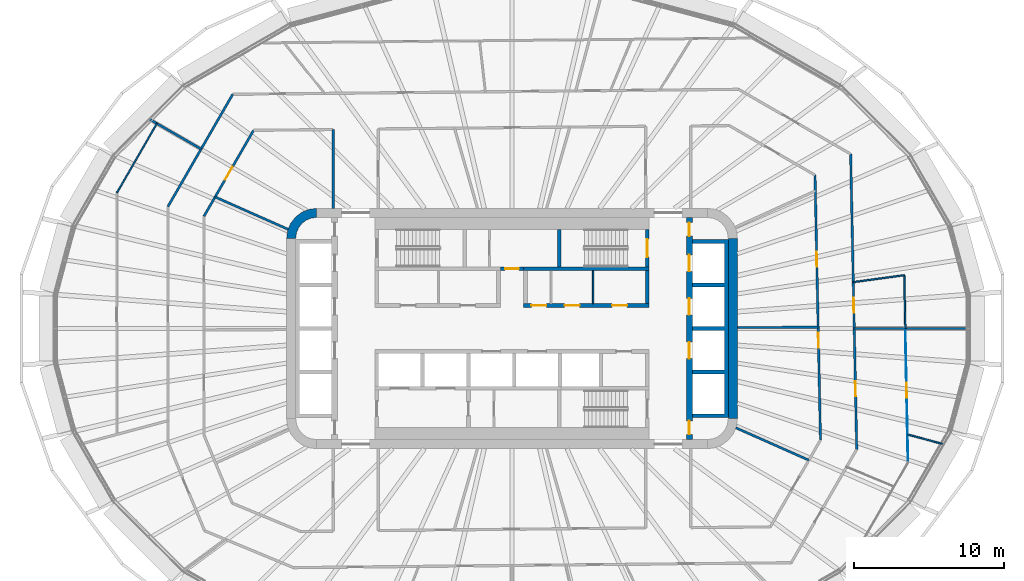
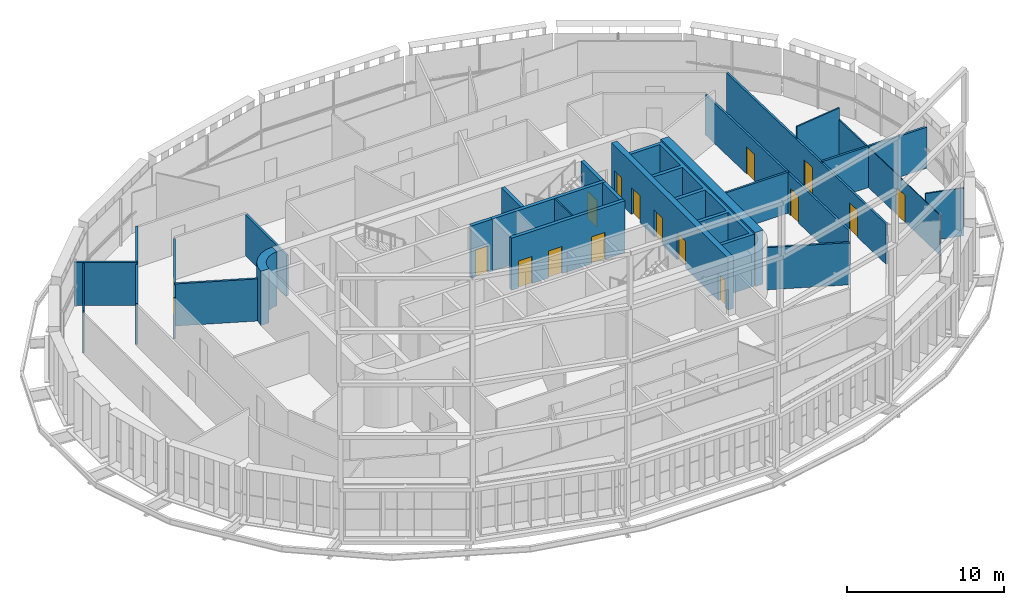
# One storey, part 14 of 23: 26 walls, 16 doors, 16 openings.
"""IFC4 building model written with IfcOpenShell, lengths in metres."""

from ifc_helpers import new_model, si_unit, direction, frame, frame_2d, origin, place, context, subcontext, project, spatial, polyline, rectangle, outline, extrude, material, layer, layer_set, type_object, element, fill, save


model = new_model("IFC4")

# Units and contexts
model_context = context("Model", 3, precision=1e-05, world=origin(), true_north=direction((0.0, 1.0)))
body_context = subcontext(model_context, "Body", "Model", "MODEL_VIEW")
ifc_project = project(units=[si_unit("LENGTHUNIT", "METRE"), si_unit("AREAUNIT", "SQUARE_METRE"), si_unit("VOLUMEUNIT", "CUBIC_METRE"), si_unit("PLANEANGLEUNIT", "RADIAN"), si_unit("MASSUNIT", "GRAM", prefix="KILO")], contexts=[model_context])

# Site, building, storey
site_placement = place(None, origin())
site = spatial("IfcSite", under=ifc_project, at=site_placement, CompositionType="ELEMENT")
building_placement = place(site_placement, origin())
building = spatial("IfcBuilding", under=site, at=building_placement, Name="Sahrelin Media Tower", CompositionType="ELEMENT")
storey_placement = place(building_placement, frame((0.0, 0.0, 54.60009765625)))
storey = spatial("IfcBuildingStorey", under=building, at=storey_placement, Name="L08", CompositionType="ELEMENT", Elevation=54.60009765625)

# Walls
ifc_material_1 = material(Name="Concrete C60/75", Category="concrete")
ifc_layer_1 = layer(ifc_material_1, 0.60009765625)
ifc_layer_set_1 = layer_set([ifc_layer_1], Name="Core wall 600")
wall_type_1 = type_object("IfcWallType", Name="Core wall 600", PredefinedType="SHEAR", material=ifc_layer_set_1)
wall_1_placement = place(storey_placement, frame((14.699951171875, -6.0, 0.0), z_axis=(0.0, 0.0, 1.0), x_axis=(0.0, 1.0, 0.0)))
element("IfcWall", 1, at=wall_1_placement, inside=storey, type_object=wall_type_1, Name="Core wall E L08", PredefinedType="SHEAR", context=body_context, shape_type="SweptSolid", body=[
    extrude(rectangle(XDim=12.0, YDim=0.60009765625, at=frame_2d((6.0, 0.0))), origin(), (0.0, 0.0, 1.0), 4.199951171875),
])
placement = place(storey_placement, origin())
element("IfcWall", 2, at=placement, inside=storey, type_object=wall_type_1, Name="Core wall corner NW L08", PredefinedType="SHEAR", context=body_context, shape_type="SweptSolid", body=[
    extrude(outline(polyline([(-15.0, 6.0), (-14.394775390625, 6.0), (-14.347412109375, 6.361083984375), (-14.2080078125, 6.697509765625), (-13.986328125, 6.986328125), (-13.697509765625, 7.2080078125), (-13.361083984375, 7.347412109375), (-13.0, 7.394775390625), (-13.0, 8.0), (-13.517578125, 7.931884765625), (-14.0, 7.732177734375), (-14.414306640625, 7.414306640625), (-14.732177734375, 7.0), (-14.931884765625, 6.517578125), (-15.0, 6.0)])), origin(), (0.0, 0.0, 1.0), 4.199951171875),
])

# Wall, opening, door
ifc_material_2 = material(Name="Fire-rated gypsum board partition")
ifc_layer_2 = layer(ifc_material_2, 0.25)
ifc_layer_set_2 = layer_set([ifc_layer_2], Name="Fire-rated lobby wall 250")
wall_type_2 = type_object("IfcWallType", Name="Fire-rated lobby wall 250", PredefinedType="PARTITIONING", material=ifc_layer_set_2)
wall_3_placement = place(storey_placement, frame((-0.77490234375, 3.97509765625, 0.0), z_axis=(0.0, 0.0, 1.0), x_axis=(1.0, 0.0, 0.0)))
wall_3 = element("IfcWall", 3, at=wall_3_placement, inside=storey, type_object=wall_type_2, Name="Core lobby wall", PredefinedType="PARTITIONING", context=body_context, shape_type="SweptSolid", body=[
    extrude(rectangle(XDim=1.5498046875, YDim=0.25, at=frame_2d((0.77490234375, 0.0))), origin(), (0.0, 0.0, 1.0), 4.0498046875),
])
opening_1_placement = place(wall_3_placement, frame((0.324951171875, 0.0, 0.0)))
opening_1 = element("IfcOpeningElement", 4, at=opening_1_placement, cuts=wall_3, Name="Opening L08-D06", PredefinedType="OPENING", context=body_context, shape_type="SweptSolid", body=[
    extrude(rectangle(XDim=0.89990234375, YDim=2.10009765625, at=frame_2d((0.449951171875, 1.050048828125))), frame((0.0, 0.125, 0.0), z_axis=(0.0, -1.0, 0.0), x_axis=(1.0, 0.0, 0.0)), (0.0, 0.0, 1.0), 0.25),
])
ifc_material_3 = material(Name="Steel fire door leaf", Category="steel")
door_type_1 = type_object("IfcDoorType", Name="Riser door 900 x 2100 EI 120", OperationType="NOTDEFINED", PredefinedType="DOOR", material=ifc_material_3)
door_1_placement = place(opening_1_placement, origin())
door_1 = element("IfcDoor", 5, at=door_1_placement, inside=storey, type_object=door_type_1, Name="Core room door", OperationType="SINGLE_SWING_LEFT", OverallHeight=2.10009765625, OverallWidth=0.89990234375, PredefinedType="DOOR", context=body_context, shape_type="SweptSolid", body=[
    extrude(rectangle(XDim=0.89990234375, YDim=2.10009765625, at=frame_2d((0.449951171875, 1.050048828125))), frame((0.0, 0.02490234375, 0.0), z_axis=(0.0, -1.0, 0.0), x_axis=(1.0, 0.0, 0.0)), (0.0, 0.0, 1.0), 0.050048828125),
])
fill(opening_1, door_1)

# Wall, openings, doors
wall_4_placement = place(storey_placement, frame((0.77490234375, 1.52490234375, 0.0), z_axis=(0.0, 0.0, 1.0), x_axis=(1.0, 0.0, 0.0)))
wall_4 = element("IfcWall", 6, at=wall_4_placement, inside=storey, type_object=wall_type_2, Name="Core lobby wall", PredefinedType="PARTITIONING", context=body_context, shape_type="SweptSolid", body=[
    extrude(rectangle(XDim=8.35009765625, YDim=0.25, at=frame_2d((4.175048828125, 0.0))), origin(), (0.0, 0.0, 1.0), 4.0498046875),
])
opening_2_placement = place(wall_4_placement, frame((0.512451171875, 0.0, 0.0)))
opening_2 = element("IfcOpeningElement", 7, at=opening_2_placement, cuts=wall_4, Name="Opening L08-D11", PredefinedType="OPENING", context=body_context, shape_type="SweptSolid", body=[
    extrude(rectangle(XDim=1.0, YDim=2.10009765625, at=frame_2d((0.5, 1.050048828125))), frame((0.0, 0.125, 0.0), z_axis=(0.0, -1.0, 0.0), x_axis=(1.0, 0.0, 0.0)), (0.0, 0.0, 1.0), 0.25),
])
opening_3_placement = place(wall_4_placement, frame((2.72509765625, 0.0, 0.0)))
opening_3 = element("IfcOpeningElement", 8, at=opening_3_placement, cuts=wall_4, Name="Opening L08-D12", PredefinedType="OPENING", context=body_context, shape_type="SweptSolid", body=[
    extrude(rectangle(XDim=1.0, YDim=2.10009765625, at=frame_2d((0.5, 1.050048828125))), frame((0.0, 0.125, 0.0), z_axis=(0.0, -1.0, 0.0), x_axis=(1.0, 0.0, 0.0)), (0.0, 0.0, 1.0), 0.25),
])
opening_4_placement = place(wall_4_placement, frame((5.887451171875, 0.0, 0.0)))
opening_4 = element("IfcOpeningElement", 9, at=opening_4_placement, cuts=wall_4, Name="Opening L08-D13", PredefinedType="OPENING", context=body_context, shape_type="SweptSolid", body=[
    extrude(rectangle(XDim=1.0, YDim=2.10009765625, at=frame_2d((0.5, 1.050048828125))), frame((0.0, 0.125, 0.0), z_axis=(0.0, -1.0, 0.0), x_axis=(1.0, 0.0, 0.0)), (0.0, 0.0, 1.0), 0.25),
])
door_type_2 = type_object("IfcDoorType", Name="Fire door 1000 x 2100 EI 60", OperationType="NOTDEFINED", PredefinedType="DOOR", material=ifc_material_3)
door_2_placement = place(opening_2_placement, origin())
door_2 = element("IfcDoor", 10, at=door_2_placement, inside=storey, type_object=door_type_2, Name="Core room door", OperationType="SINGLE_SWING_LEFT", OverallHeight=2.10009765625, OverallWidth=1.0, PredefinedType="DOOR", context=body_context, shape_type="SweptSolid", body=[
    extrude(rectangle(XDim=1.0, YDim=2.10009765625, at=frame_2d((0.5, 1.050048828125))), frame((0.0, 0.02490234375, 0.0), z_axis=(0.0, -1.0, 0.0), x_axis=(1.0, 0.0, 0.0)), (0.0, 0.0, 1.0), 0.050048828125),
])
fill(opening_2, door_2)
door_3_placement = place(opening_3_placement, origin())
door_3 = element("IfcDoor", 11, at=door_3_placement, inside=storey, type_object=door_type_2, Name="Core room door", OperationType="SINGLE_SWING_LEFT", OverallHeight=2.10009765625, OverallWidth=1.0, PredefinedType="DOOR", context=body_context, shape_type="SweptSolid", body=[
    extrude(rectangle(XDim=1.0, YDim=2.10009765625, at=frame_2d((0.5, 1.050048828125))), frame((0.0, 0.02490234375, 0.0), z_axis=(0.0, -1.0, 0.0), x_axis=(1.0, 0.0, 0.0)), (0.0, 0.0, 1.0), 0.050048828125),
])
fill(opening_3, door_3)
door_4_placement = place(opening_4_placement, origin())
door_4 = element("IfcDoor", 12, at=door_4_placement, inside=storey, type_object=door_type_2, Name="Core room door", OperationType="SINGLE_SWING_LEFT", OverallHeight=2.10009765625, OverallWidth=1.0, PredefinedType="DOOR", context=body_context, shape_type="SweptSolid", body=[
    extrude(rectangle(XDim=1.0, YDim=2.10009765625, at=frame_2d((0.5, 1.050048828125))), frame((0.0, 0.02490234375, 0.0), z_axis=(0.0, -1.0, 0.0), x_axis=(1.0, 0.0, 0.0)), (0.0, 0.0, 1.0), 0.050048828125),
])
fill(opening_4, door_4)

# Walls
wall_5_placement = place(storey_placement, frame((9.0, 1.64990234375, 0.0), z_axis=(0.0, 0.0, 1.0), x_axis=(0.0, 1.0, 0.0)))
element("IfcWall", 13, at=wall_5_placement, inside=storey, type_object=wall_type_2, Name="Core lobby wall", PredefinedType="PARTITIONING", context=body_context, shape_type="SweptSolid", body=[
    extrude(rectangle(XDim=2.2001953125, YDim=0.25, at=frame_2d((1.10009765625, 0.0))), origin(), (0.0, 0.0, 1.0), 4.0498046875),
])
ifc_layer_3 = layer(ifc_material_2, 0.10009765625)
ifc_layer_set_3 = layer_set([ifc_layer_3], Name="Fire-rated partition 100")
wall_type_3 = type_object("IfcWallType", Name="Fire-rated partition 100", PredefinedType="PARTITIONING", material=ifc_layer_set_3)
wall_6_placement = place(storey_placement, frame((5.39990234375, 1.64990234375, 0.0), z_axis=(0.0, 0.0, 1.0), x_axis=(0.0, 1.0, 0.0)))
element("IfcWall", 14, at=wall_6_placement, inside=storey, type_object=wall_type_3, Name="Core room partition", PredefinedType="PARTITIONING", context=body_context, shape_type="SweptSolid", body=[
    extrude(rectangle(XDim=2.2001953125, YDim=0.10009765625, at=frame_2d((1.10009765625, 0.0))), origin(), (0.0, 0.0, 1.0), 4.0498046875),
])

# Wall, openings, doors
ifc_layer_4 = layer(ifc_material_2, 0.14990234375)
ifc_layer_set_4 = layer_set([ifc_layer_4], Name="Fire-rated partition 150")
wall_type_4 = type_object("IfcWallType", Name="Fire-rated partition 150", PredefinedType="PARTITIONING", material=ifc_layer_set_4)
wall_7_placement = place(storey_placement, frame((20.1669921875, 10.212890625, 0.0), z_axis=(0.0, 0.0, 1.0), x_axis=(0.020624730832, -0.999787287616, 0.0)))
wall_7 = element("IfcWall", 15, at=wall_7_placement, inside=storey, type_object=wall_type_4, Name="Wall", PredefinedType="PARTITIONING", context=body_context, shape_type="SweptSolid", body=[
    extrude(rectangle(XDim=17.637451171875, YDim=0.14990234375, at=frame_2d((8.81884765625, 0.0))), origin(), (0.0, 0.0, 1.0), 3.126953125),
])
opening_5_placement = place(wall_7_placement, frame((10.507568359375, 0.0, 0.0)))
opening_5 = element("IfcOpeningElement", 16, at=opening_5_placement, cuts=wall_7, Name="Opening L08-D27", PredefinedType="OPENING", context=body_context, shape_type="SweptSolid", body=[
    extrude(rectangle(XDim=1.0, YDim=2.10009765625, at=frame_2d((0.5, 1.050048828125))), frame((0.0, 0.074951171875, 0.0), z_axis=(0.0, -1.0, 0.0), x_axis=(1.0, 0.0, 0.0)), (0.0, 0.0, 1.0), 0.14990234375),
])
opening_6_placement = place(wall_7_placement, frame((5.089111328125, 0.0, 0.0)))
opening_6 = element("IfcOpeningElement", 17, at=opening_6_placement, cuts=wall_7, Name="Opening L08-D28", PredefinedType="OPENING", context=body_context, shape_type="SweptSolid", body=[
    extrude(rectangle(XDim=1.0, YDim=2.10009765625, at=frame_2d((0.5, 1.050048828125))), frame((0.0, 0.074951171875, 0.0), z_axis=(0.0, -1.0, 0.0), x_axis=(1.0, 0.0, 0.0)), (0.0, 0.0, 1.0), 0.14990234375),
])
door_5_placement = place(opening_5_placement, origin())
door_5 = element("IfcDoor", 18, at=door_5_placement, inside=storey, type_object=door_type_2, Name="Fire door", OperationType="SINGLE_SWING_RIGHT", OverallHeight=2.10009765625, OverallWidth=1.0, PredefinedType="DOOR", context=body_context, shape_type="SweptSolid", body=[
    extrude(rectangle(XDim=1.0, YDim=2.10009765625, at=frame_2d((0.5, 1.050048828125))), frame((0.0, 0.02490234375, 0.0), z_axis=(0.0, -1.0, 0.0), x_axis=(1.0, 0.0, 0.0)), (0.0, 0.0, 1.0), 0.050048828125),
])
fill(opening_5, door_5)
door_6_placement = place(opening_6_placement, origin())
door_6 = element("IfcDoor", 19, at=door_6_placement, inside=storey, type_object=door_type_2, Name="Fire door", OperationType="SINGLE_SWING_LEFT", OverallHeight=2.10009765625, OverallWidth=1.0, PredefinedType="DOOR", context=body_context, shape_type="SweptSolid", body=[
    extrude(rectangle(XDim=1.0, YDim=2.10009765625, at=frame_2d((0.5, 1.050048828125))), frame((0.0, 0.02490234375, 0.0), z_axis=(0.0, -1.0, 0.0), x_axis=(1.0, 0.0, 0.0)), (0.0, 0.0, 1.0), 0.050048828125),
])
fill(opening_6, door_6)

wall_8_placement = place(storey_placement, frame((22.53857421875, 11.614990234375, 0.0), z_axis=(0.0, 0.0, 1.0), x_axis=(0.020613919434, -0.999787510587, 0.0)))
wall_8 = element("IfcWall", 20, at=wall_8_placement, inside=storey, type_object=wall_type_4, Name="Wall", PredefinedType="PARTITIONING", context=body_context, shape_type="SweptSolid", body=[
    extrude(rectangle(XDim=19.66015625, YDim=0.14990234375, at=frame_2d((9.830078125, 0.0))), origin(), (0.0, 0.0, 1.0), 3.126953125),
])
opening_7_placement = place(wall_8_placement, frame((9.572509765625, 0.0, 0.0)))
opening_7 = element("IfcOpeningElement", 21, at=opening_7_placement, cuts=wall_8, Name="Opening L08-D37", PredefinedType="OPENING", context=body_context, shape_type="SweptSolid", body=[
    extrude(rectangle(XDim=1.0, YDim=2.10009765625, at=frame_2d((0.5, 1.050048828125))), frame((0.0, 0.074951171875, 0.0), z_axis=(0.0, -1.0, 0.0), x_axis=(1.0, 0.0, 0.0)), (0.0, 0.0, 1.0), 0.14990234375),
])
opening_8_placement = place(wall_8_placement, frame((15.139404296875, 0.0, 0.0)))
opening_8 = element("IfcOpeningElement", 22, at=opening_8_placement, cuts=wall_8, Name="Opening L08-D57", PredefinedType="OPENING", context=body_context, shape_type="SweptSolid", body=[
    extrude(rectangle(XDim=1.0, YDim=2.10009765625, at=frame_2d((0.5, 1.050048828125))), frame((0.0, 0.074951171875, 0.0), z_axis=(0.0, -1.0, 0.0), x_axis=(1.0, 0.0, 0.0)), (0.0, 0.0, 1.0), 0.14990234375),
])
door_7_placement = place(opening_7_placement, origin())
door_7 = element("IfcDoor", 23, at=door_7_placement, inside=storey, type_object=door_type_2, Name="Fire door", OperationType="SINGLE_SWING_LEFT", OverallHeight=2.10009765625, OverallWidth=1.0, PredefinedType="DOOR", context=body_context, shape_type="SweptSolid", body=[
    extrude(rectangle(XDim=1.0, YDim=2.10009765625, at=frame_2d((0.5, 1.050048828125))), frame((0.0, 0.02490234375, 0.0), z_axis=(0.0, -1.0, 0.0), x_axis=(1.0, 0.0, 0.0)), (0.0, 0.0, 1.0), 0.050048828125),
])
fill(opening_7, door_7)
door_8_placement = place(opening_8_placement, origin())
door_8 = element("IfcDoor", 24, at=door_8_placement, inside=storey, type_object=door_type_2, Name="Fire door", OperationType="SINGLE_SWING_RIGHT", OverallHeight=2.10009765625, OverallWidth=1.0, PredefinedType="DOOR", context=body_context, shape_type="SweptSolid", body=[
    extrude(rectangle(XDim=1.0, YDim=2.10009765625, at=frame_2d((0.5, 1.050048828125))), frame((0.0, 0.02490234375, 0.0), z_axis=(0.0, -1.0, 0.0), x_axis=(1.0, 0.0, 0.0)), (0.0, 0.0, 1.0), 0.050048828125),
])
fill(opening_8, door_8)

# Walls
wall_9_placement = place(storey_placement, frame((-24.14111328125, 13.93798828125, 0.0), z_axis=(0.0, 0.0, 1.0), x_axis=(0.865983578848, -0.500072435918, 0.0)))
element("IfcWall", 25, at=wall_9_placement, inside=storey, type_object=wall_type_4, Name="Wall", PredefinedType="PARTITIONING", context=body_context, shape_type="SweptSolid", body=[
    extrude(rectangle(XDim=3.9853515625, YDim=0.14990234375, at=frame_2d((1.99267578125, 0.0))), origin(), (0.0, 0.0, 1.0), 3.35205078125),
])
wall_10_placement = place(storey_placement, frame((-19.760009765625, 8.7548828125, 0.0), z_axis=(0.0, 0.0, 1.0), x_axis=(0.91424834547, -0.405154245695, 0.0)))
element("IfcWall", 26, at=wall_10_placement, inside=storey, type_object=wall_type_4, Name="Wall", PredefinedType="PARTITIONING", context=body_context, shape_type="SweptSolid", body=[
    extrude(rectangle(XDim=5.31787109375, YDim=0.14990234375, at=frame_2d((2.658935546875, 0.0))), origin(), (0.0, 0.0, 1.0), 3.27587890625),
])
wall_11_placement = place(storey_placement, frame((14.89501953125, -6.60693359375, 0.0), z_axis=(0.0, 0.0, 1.0), x_axis=(0.914233271379, -0.405188259337, 0.0)))
element("IfcWall", 27, at=wall_11_placement, inside=storey, type_object=wall_type_4, Name="Wall", PredefinedType="PARTITIONING", context=body_context, shape_type="SweptSolid", body=[
    extrude(rectangle(XDim=5.3173828125, YDim=0.14990234375, at=frame_2d((2.65869140625, 0.0))), origin(), (0.0, 0.0, 1.0), 3.27587890625),
])
wall_12_placement = place(storey_placement, frame((22.778076171875, 0.0, 0.0), z_axis=(0.0, 0.0, 1.0), x_axis=(1.0, 0.0, 0.0)))
element("IfcWall", 28, at=wall_12_placement, inside=storey, type_object=wall_type_4, Name="Wall", PredefinedType="PARTITIONING", context=body_context, shape_type="SweptSolid", body=[
    extrude(rectangle(XDim=7.696044921875, YDim=0.14990234375, at=frame_2d((3.84814453125, 0.0))), origin(), (0.0, 0.0, 1.0), 3.19482421875),
])
wall_13_placement = place(storey_placement, frame((15.0, 0.06298828125, 0.0), z_axis=(0.0, 0.0, 1.0), x_axis=(0.999990294223, 0.004405843865, 0.0)))
element("IfcWall", 29, at=wall_13_placement, inside=storey, type_object=wall_type_4, Name="Wall", PredefinedType="PARTITIONING", context=body_context, shape_type="SweptSolid", body=[
    extrude(rectangle(XDim=5.375, YDim=0.14990234375, at=frame_2d((2.6875, 0.0))), origin(), (0.0, 0.0, 1.0), 3.19482421875),
])

# Wall, opening, door
wall_14_placement = place(storey_placement, frame((-20.5, 7.47412109375, 0.0), z_axis=(0.0, 0.0, 1.0), x_axis=(0.500012665616, 0.866018091164, 0.0)))
wall_14 = element("IfcWall", 30, at=wall_14_placement, inside=storey, type_object=wall_type_4, Name="Wall", PredefinedType="PARTITIONING", context=body_context, shape_type="SweptSolid", body=[
    extrude(rectangle(XDim=6.602294921875, YDim=0.14990234375, at=frame_2d((3.30126953125, 0.0))), origin(), (0.0, 0.0, 1.0), 3.19482421875),
])
opening_9_placement = place(wall_14_placement, frame((2.80322265625, 0.0, 0.0)))
opening_9 = element("IfcOpeningElement", 31, at=opening_9_placement, cuts=wall_14, Name="Opening L08-D33", PredefinedType="OPENING", context=body_context, shape_type="SweptSolid", body=[
    extrude(rectangle(XDim=1.0, YDim=2.10009765625, at=frame_2d((0.5, 1.050048828125))), frame((0.0, 0.074951171875, 0.0), z_axis=(0.0, -1.0, 0.0), x_axis=(1.0, 0.0, 0.0)), (0.0, 0.0, 1.0), 0.14990234375),
])
door_9_placement = place(opening_9_placement, origin())
door_9 = element("IfcDoor", 32, at=door_9_placement, inside=storey, type_object=door_type_2, Name="Fire door", OperationType="SINGLE_SWING_LEFT", OverallHeight=2.10009765625, OverallWidth=1.0, PredefinedType="DOOR", context=body_context, shape_type="SweptSolid", body=[
    extrude(rectangle(XDim=1.0, YDim=2.10009765625, at=frame_2d((0.5, 1.050048828125))), frame((0.0, 0.02490234375, 0.0), z_axis=(0.0, -1.0, 0.0), x_axis=(1.0, 0.0, 0.0)), (0.0, 0.0, 1.0), 0.050048828125),
])
fill(opening_9, door_9)

# Walls
wall_15_placement = place(storey_placement, frame((-22.900146484375, 8.116943359375, 0.0), z_axis=(0.0, 0.0, 1.0), x_axis=(0.5000050195, 0.866022505755, 0.0)))
element("IfcWall", 33, at=wall_15_placement, inside=storey, type_object=wall_type_4, Name="Wall", PredefinedType="PARTITIONING", context=body_context, shape_type="SweptSolid", body=[
    extrude(rectangle(XDim=8.6259765625, YDim=0.14990234375, at=frame_2d((4.31298828125, 0.0))), origin(), (0.0, 0.0, 1.0), 3.19482421875),
])
wall_16_placement = place(storey_placement, frame((-11.89990234375, 8.0, 0.0), z_axis=(0.0, 0.0, 1.0), x_axis=(0.0, 1.0, 0.0)))
element("IfcWall", 34, at=wall_16_placement, inside=storey, type_object=wall_type_4, Name="Wall", PredefinedType="PARTITIONING", context=body_context, shape_type="SweptSolid", body=[
    extrude(rectangle(XDim=5.242919921875, YDim=0.14990234375, at=frame_2d((2.62158203125, 0.0))), origin(), (0.0, 0.0, 1.0), 3.19482421875),
])

# Wall, opening, door
ifc_material_4 = material(Name="Clear glass", Category="glass")
ifc_layer_5 = layer(ifc_material_4, 0.050048828125)
ifc_layer_set_5 = layer_set([ifc_layer_5], Name="Glazed partition 50")
wall_type_5 = type_object("IfcWallType", Name="Glazed partition 50", PredefinedType="PARTITIONING", material=ifc_layer_set_5)
wall_17_placement = place(storey_placement, frame((26.17919921875, 0.0, 0.0), z_axis=(0.0, 0.0, 1.0), x_axis=(0.020525621248, -0.999789327245, 0.0)))
wall_17 = element("IfcWall", 35, at=wall_17_placement, inside=storey, type_object=wall_type_5, Name="Wall", PredefinedType="PARTITIONING", context=body_context, shape_type="SweptSolid", body=[
    extrude(rectangle(XDim=8.9208984375, YDim=0.050048828125, at=frame_2d((4.46044921875, 0.0))), origin(), (0.0, 0.0, 1.0), 3.126953125),
])
opening_10_placement = place(wall_17_placement, frame((3.613037109375, 0.0, 0.0)))
opening_10 = element("IfcOpeningElement", 36, at=opening_10_placement, cuts=wall_17, Name="Opening L08-D59", PredefinedType="OPENING", context=body_context, shape_type="SweptSolid", body=[
    extrude(rectangle(XDim=1.0, YDim=2.10009765625, at=frame_2d((0.5, 1.050048828125))), frame((0.0, 0.02490234375, 0.0), z_axis=(0.0, -1.0, 0.0), x_axis=(1.0, 0.0, 0.0)), (0.0, 0.0, 1.0), 0.050048828125),
])
door_type_3 = type_object("IfcDoorType", Name="Glazed door 1000 x 2100", OperationType="NOTDEFINED", PredefinedType="DOOR", material=ifc_material_4)
door_10_placement = place(opening_10_placement, origin())
door_10 = element("IfcDoor", 37, at=door_10_placement, inside=storey, type_object=door_type_3, Name="Glazed door", OperationType="SINGLE_SWING_LEFT", OverallHeight=2.10009765625, OverallWidth=1.0, PredefinedType="DOOR", context=body_context, shape_type="SweptSolid", body=[
    extrude(rectangle(XDim=1.0, YDim=2.10009765625, at=frame_2d((0.5, 1.050048828125))), frame((0.0, 0.02490234375, 0.0), z_axis=(0.0, -1.0, 0.0), x_axis=(1.0, 0.0, 0.0)), (0.0, 0.0, 1.0), 0.049560546875),
])
fill(opening_10, door_10)

# Wall
ifc_layer_6 = layer(ifc_material_1, 0.25)
ifc_layer_set_6 = layer_set([ifc_layer_6], Name="Lift shaft wall 250")
wall_type_6 = type_object("IfcWallType", Name="Lift shaft wall 250", PredefinedType="SOLIDWALL", material=ifc_layer_set_6)
element("IfcWall", 38, at=placement, inside=storey, type_object=wall_type_6, Name="Lift shaft wall", PredefinedType="SOLIDWALL", context=body_context, shape_type="SweptSolid", body=[
    extrude(outline(polyline([(12.0, -5.675048828125), (12.0, -5.925048828125), (14.14990234375, -5.925048828125), (14.39990234375, -5.925048828125), (14.39990234375, -5.675048828125), (14.39990234375, -3.02490234375), (14.39990234375, -2.77490234375), (14.39990234375, -0.125), (14.39990234375, 0.125), (14.39990234375, 2.77490234375), (14.39990234375, 3.02490234375), (14.39990234375, 5.675048828125), (14.39990234375, 5.925048828125), (14.14990234375, 5.925048828125), (12.0, 5.925048828125), (12.0, 5.675048828125), (14.14990234375, 5.675048828125), (14.14990234375, 3.02490234375), (12.0, 3.02490234375), (12.0, 2.77490234375), (14.14990234375, 2.77490234375), (14.14990234375, 0.125), (12.0, 0.125), (12.0, -0.125), (14.14990234375, -0.125), (14.14990234375, -2.77490234375), (12.0, -2.77490234375), (12.0, -3.02490234375), (14.14990234375, -3.02490234375), (14.14990234375, -5.675048828125), (12.0, -5.675048828125)])), origin(), (0.0, 0.0, 1.0), 4.0498046875),
])

# Wall, openings, doors
ifc_layer_7 = layer(ifc_material_1, 0.39990234375)
ifc_layer_set_7 = layer_set([ifc_layer_7], Name="Lift shaft wall 400")
wall_type_7 = type_object("IfcWallType", Name="Lift shaft wall 400", PredefinedType="SOLIDWALL", material=ifc_layer_set_7)
wall_19_placement = place(storey_placement, frame((11.800048828125, -7.39990234375, 0.0), z_axis=(0.0, 0.0, 1.0), x_axis=(0.0, 1.0, 0.0)))
wall_19 = element("IfcWall", 39, at=wall_19_placement, inside=storey, type_object=wall_type_7, Name="Lift shaft wall", PredefinedType="SOLIDWALL", context=body_context, shape_type="SweptSolid", body=[
    extrude(rectangle(XDim=14.7998046875, YDim=0.39990234375, at=frame_2d((7.39990234375, 0.0))), origin(), (0.0, 0.0, 1.0), 4.0498046875),
])
opening_11_placement = place(wall_19_placement, frame((11.199951171875, 0.0, 0.0)))
opening_11 = element("IfcOpeningElement", 40, at=opening_11_placement, cuts=wall_19, Name="Opening L08-LD-LR4", PredefinedType="OPENING", context=body_context, shape_type="SweptSolid", body=[
    extrude(rectangle(XDim=1.10009765625, YDim=2.10009765625, at=frame_2d((0.550048828125, 1.050048828125))), frame((0.0, 0.199951171875, 0.0), z_axis=(0.0, -1.0, 0.0), x_axis=(1.0, 0.0, 0.0)), (0.0, 0.0, 1.0), 0.39990234375),
])
opening_12_placement = place(wall_19_placement, frame((8.300048828125, 0.0, 0.0)))
opening_12 = element("IfcOpeningElement", 41, at=opening_12_placement, cuts=wall_19, Name="Opening L08-LD-LR5", PredefinedType="OPENING", context=body_context, shape_type="SweptSolid", body=[
    extrude(rectangle(XDim=1.10009765625, YDim=2.10009765625, at=frame_2d((0.550048828125, 1.050048828125))), frame((0.0, 0.199951171875, 0.0), z_axis=(0.0, -1.0, 0.0), x_axis=(1.0, 0.0, 0.0)), (0.0, 0.0, 1.0), 0.39990234375),
])
opening_13_placement = place(wall_19_placement, frame((5.39990234375, 0.0, 0.0)))
opening_13 = element("IfcOpeningElement", 42, at=opening_13_placement, cuts=wall_19, Name="Opening L08-LD-LR6", PredefinedType="OPENING", context=body_context, shape_type="SweptSolid", body=[
    extrude(rectangle(XDim=1.10009765625, YDim=2.10009765625, at=frame_2d((0.550048828125, 1.050048828125))), frame((0.0, 0.199951171875, 0.0), z_axis=(0.0, -1.0, 0.0), x_axis=(1.0, 0.0, 0.0)), (0.0, 0.0, 1.0), 0.39990234375),
])
opening_14_placement = place(wall_19_placement, frame((13.552490234375, 0.0, 0.0)))
opening_14 = element("IfcOpeningElement", 43, at=opening_14_placement, cuts=wall_19, Name="Opening L08-D17", PredefinedType="OPENING", context=body_context, shape_type="SweptSolid", body=[
    extrude(rectangle(XDim=0.89990234375, YDim=2.10009765625, at=frame_2d((0.449951171875, 1.050048828125))), frame((0.0, 0.199951171875, 0.0), z_axis=(0.0, -1.0, 0.0), x_axis=(1.0, 0.0, 0.0)), (0.0, 0.0, 1.0), 0.39990234375),
])
opening_15_placement = place(wall_19_placement, frame((0.347412109375, 0.0, 0.0)))
opening_15 = element("IfcOpeningElement", 44, at=opening_15_placement, cuts=wall_19, Name="Opening L08-D18", PredefinedType="OPENING", context=body_context, shape_type="SweptSolid", body=[
    extrude(rectangle(XDim=0.89990234375, YDim=2.10009765625, at=frame_2d((0.449951171875, 1.050048828125))), frame((0.0, 0.199951171875, 0.0), z_axis=(0.0, -1.0, 0.0), x_axis=(1.0, 0.0, 0.0)), (0.0, 0.0, 1.0), 0.39990234375),
])
ifc_material_5 = material(Name="Stainless steel", Category="steel")
door_type_4 = type_object("IfcDoorType", Name="Lift landing door 1100 x 2100 EI 120", OperationType="DOUBLE_DOOR_SLIDING", PredefinedType="DOOR", material=ifc_material_5)
door_11_placement = place(opening_11_placement, origin())
door_11 = element("IfcDoor", 45, at=door_11_placement, inside=storey, type_object=door_type_4, Name="Lift landing door LR4", OperationType="DOUBLE_DOOR_SLIDING", OverallHeight=2.10009765625, OverallWidth=1.10009765625, PredefinedType="DOOR", context=body_context, shape_type="SweptSolid", body=[
    extrude(rectangle(XDim=1.10009765625, YDim=2.10009765625, at=frame_2d((0.550048828125, 1.050048828125))), frame((0.0, 0.02490234375, 0.0), z_axis=(0.0, -1.0, 0.0), x_axis=(1.0, 0.0, 0.0)), (0.0, 0.0, 1.0), 0.050048828125),
])
fill(opening_11, door_11)
door_12_placement = place(opening_12_placement, origin())
door_12 = element("IfcDoor", 46, at=door_12_placement, inside=storey, type_object=door_type_4, Name="Lift landing door LR5", OperationType="DOUBLE_DOOR_SLIDING", OverallHeight=2.10009765625, OverallWidth=1.10009765625, PredefinedType="DOOR", context=body_context, shape_type="SweptSolid", body=[
    extrude(rectangle(XDim=1.10009765625, YDim=2.10009765625, at=frame_2d((0.550048828125, 1.050048828125))), frame((0.0, 0.02490234375, 0.0), z_axis=(0.0, -1.0, 0.0), x_axis=(1.0, 0.0, 0.0)), (0.0, 0.0, 1.0), 0.050048828125),
])
fill(opening_12, door_12)
door_13_placement = place(opening_13_placement, origin())
door_13 = element("IfcDoor", 47, at=door_13_placement, inside=storey, type_object=door_type_4, Name="Lift landing door LR6", OperationType="DOUBLE_DOOR_SLIDING", OverallHeight=2.10009765625, OverallWidth=1.10009765625, PredefinedType="DOOR", context=body_context, shape_type="SweptSolid", body=[
    extrude(rectangle(XDim=1.10009765625, YDim=2.10009765625, at=frame_2d((0.550048828125, 1.050048828125))), frame((0.0, 0.02490234375, 0.0), z_axis=(0.0, -1.0, 0.0), x_axis=(1.0, 0.0, 0.0)), (0.0, 0.0, 1.0), 0.050048828125),
])
fill(opening_13, door_13)
door_14_placement = place(opening_14_placement, origin())
door_14 = element("IfcDoor", 48, at=door_14_placement, inside=storey, type_object=door_type_1, Name="Riser door", OperationType="SINGLE_SWING_RIGHT", OverallHeight=2.10009765625, OverallWidth=0.89990234375, PredefinedType="DOOR", context=body_context, shape_type="SweptSolid", body=[
    extrude(rectangle(XDim=0.89990234375, YDim=2.10009765625, at=frame_2d((0.449951171875, 1.050048828125))), frame((0.0, 0.02490234375, 0.0), z_axis=(0.0, -1.0, 0.0), x_axis=(1.0, 0.0, 0.0)), (0.0, 0.0, 1.0), 0.050048828125),
])
fill(opening_14, door_14)
door_15_placement = place(opening_15_placement, origin())
door_15 = element("IfcDoor", 49, at=door_15_placement, inside=storey, type_object=door_type_1, Name="Riser door", OperationType="SINGLE_SWING_RIGHT", OverallHeight=2.10009765625, OverallWidth=0.89990234375, PredefinedType="DOOR", context=body_context, shape_type="SweptSolid", body=[
    extrude(rectangle(XDim=0.89990234375, YDim=2.10009765625, at=frame_2d((0.449951171875, 1.050048828125))), frame((0.0, 0.02490234375, 0.0), z_axis=(0.0, -1.0, 0.0), x_axis=(1.0, 0.0, 0.0)), (0.0, 0.0, 1.0), 0.050048828125),
])
fill(opening_15, door_15)

# Walls
ifc_material_6 = material(Name="Gypsum board partition")
ifc_layer_8 = layer(ifc_material_6, 0.10009765625)
ifc_layer_set_8 = layer_set([ifc_layer_8], Name="Partition 100")
wall_type_8 = type_object("IfcWallType", Name="Partition 100", PredefinedType="PARTITIONING", material=ifc_layer_set_8)
wall_20_placement = place(storey_placement, frame((26.10595703125, 3.548095703125, 0.0), z_axis=(0.0, 0.0, 1.0), x_axis=(0.020569513461, -0.999788425176, 0.0)))
element("IfcWall", 50, at=wall_20_placement, inside=storey, type_object=wall_type_8, Name="Wall", PredefinedType="PARTITIONING", context=body_context, shape_type="SweptSolid", body=[
    extrude(rectangle(XDim=3.548828125, YDim=0.10009765625, at=frame_2d((1.7744140625, 0.0))), origin(), (0.0, 0.0, 1.0), 3.126953125),
])
wall_21_placement = place(storey_placement, frame((26.324951171875, -7.053955078125, 0.0), z_axis=(0.0, 0.0, 1.0), x_axis=(0.965923359086, -0.258828252656, 0.0)))
element("IfcWall", 51, at=wall_21_placement, inside=storey, type_object=wall_type_8, Name="Wall", PredefinedType="PARTITIONING", context=body_context, shape_type="SweptSolid", body=[
    extrude(rectangle(XDim=2.515625, YDim=0.10009765625, at=frame_2d((1.2578125, 0.0))), origin(), (0.0, 0.0, 1.0), 3.7265625),
])
wall_22_placement = place(storey_placement, frame((22.715087890625, 3.0869140625, 0.0), z_axis=(0.0, 0.0, 1.0), x_axis=(0.990877427827, 0.134766179075, 0.0)))
element("IfcWall", 52, at=wall_22_placement, inside=storey, type_object=wall_type_8, Name="Wall", PredefinedType="PARTITIONING", context=body_context, shape_type="SweptSolid", body=[
    extrude(rectangle(XDim=3.422119140625, YDim=0.10009765625, at=frame_2d((1.7109375, 0.0))), origin(), (0.0, 0.0, 1.0), 4.0498046875),
])
wall_23_placement = place(storey_placement, frame((-26.300048828125, 9.028076171875, 0.0), z_axis=(0.0, 0.0, 1.0), x_axis=(0.500059382915, 0.865991116328, 0.0)))
element("IfcWall", 53, at=wall_23_placement, inside=storey, type_object=wall_type_8, Name="Wall", PredefinedType="PARTITIONING", context=body_context, shape_type="SweptSolid", body=[
    extrude(rectangle(XDim=5.331298828125, YDim=0.10009765625, at=frame_2d((2.66552734375, 0.0))), origin(), (0.0, 0.0, 1.0), 3.27587890625),
])

# Wall, opening, door
ifc_layer_9 = layer(ifc_material_1, 0.25)
ifc_layer_set_9 = layer_set([ifc_layer_9], Name="Stair enclosure wall 250")
wall_type_9 = type_object("IfcWallType", Name="Stair enclosure wall 250", PredefinedType="SOLIDWALL", material=ifc_layer_set_9)
wall_24_placement = place(storey_placement, frame((9.0, 4.10009765625, 0.0), z_axis=(0.0, 0.0, 1.0), x_axis=(0.0, 1.0, 0.0)))
wall_24 = element("IfcWall", 54, at=wall_24_placement, inside=storey, type_object=wall_type_9, Name="Stair enclosure wall", PredefinedType="SOLIDWALL", context=body_context, shape_type="SweptSolid", body=[
    extrude(rectangle(XDim=2.5, YDim=0.25, at=frame_2d((1.25, 0.0))), origin(), (0.0, 0.0, 1.0), 4.0498046875),
])
opening_16_placement = place(wall_24_placement, frame((0.64990234375, 0.0, 0.0)))
opening_16 = element("IfcOpeningElement", 55, at=opening_16_placement, cuts=wall_24, Name="Opening L08-D02", PredefinedType="OPENING", context=body_context, shape_type="SweptSolid", body=[
    extrude(rectangle(XDim=1.199951171875, YDim=2.10009765625, at=frame_2d((0.60009765625, 1.050048828125))), frame((0.0, 0.125, 0.0), z_axis=(0.0, -1.0, 0.0), x_axis=(1.0, 0.0, 0.0)), (0.0, 0.0, 1.0), 0.25),
])
door_type_5 = type_object("IfcDoorType", Name="Stair door 1200 x 2100 EI 120", OperationType="NOTDEFINED", PredefinedType="DOOR", material=ifc_material_3)
door_16_placement = place(opening_16_placement, origin())
door_16 = element("IfcDoor", 56, at=door_16_placement, inside=storey, type_object=door_type_5, Name="Stair door ST3", OperationType="SINGLE_SWING_LEFT", OverallHeight=2.10009765625, OverallWidth=1.199951171875, PredefinedType="DOOR", context=body_context, shape_type="SweptSolid", body=[
    extrude(rectangle(XDim=1.199951171875, YDim=2.10009765625, at=frame_2d((0.60009765625, 1.050048828125))), frame((0.0, 0.02490234375, 0.0), z_axis=(0.0, -1.0, 0.0), x_axis=(1.0, 0.0, 0.0)), (0.0, 0.0, 1.0), 0.050048828125),
])
fill(opening_16, door_16)

# Walls
wall_25_placement = place(storey_placement, frame((3.14990234375, 4.10009765625, 0.0), z_axis=(0.0, 0.0, 1.0), x_axis=(0.0, 1.0, 0.0)))
element("IfcWall", 57, at=wall_25_placement, inside=storey, type_object=wall_type_9, Name="Stair enclosure wall", PredefinedType="SOLIDWALL", context=body_context, shape_type="SweptSolid", body=[
    extrude(rectangle(XDim=2.5, YDim=0.25, at=frame_2d((1.25, 0.0))), origin(), (0.0, 0.0, 1.0), 4.0498046875),
])
wall_26_placement = place(storey_placement, frame((0.77490234375, 3.97509765625, 0.0), z_axis=(0.0, 0.0, 1.0), x_axis=(1.0, 0.0, 0.0)))
element("IfcWall", 58, at=wall_26_placement, inside=storey, type_object=wall_type_9, Name="Stair enclosure wall", PredefinedType="SOLIDWALL", context=body_context, shape_type="SweptSolid", body=[
    extrude(rectangle(XDim=8.35009765625, YDim=0.25, at=frame_2d((4.175048828125, 0.0))), origin(), (0.0, 0.0, 1.0), 4.0498046875),
])

save(model, "model.ifc")
